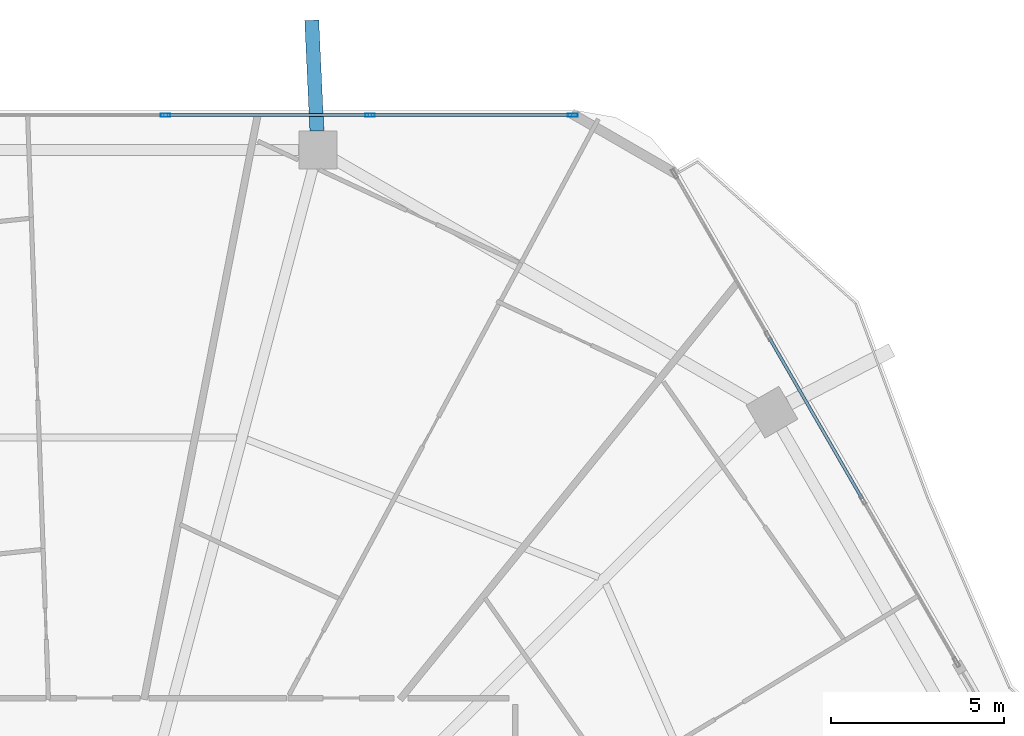
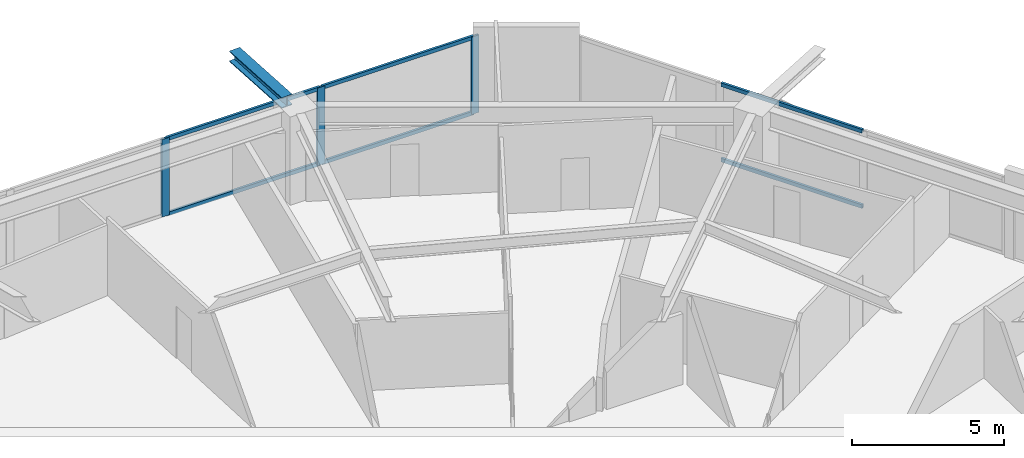
# One storey, part 20 of 32: 9 members, 1 beam, 2 elements without a shape of their own.
"""IFC4 building model written with IfcOpenShell, lengths in metres."""

from ifc_helpers import new_model, si_unit, direction, frame, origin, origin_2d, place, context, subcontext, project, spatial, hollow_rectangle, i_section, extrude, material, material_profile, profile_set, type_object, element, aggregate, save


model = new_model("IFC4")

# Units and contexts
model_context = context("Model", 3, precision=1e-05, world=origin(), true_north=direction((0.0, 1.0)))
body_context = subcontext(model_context, "Body", "Model", "MODEL_VIEW")
ifc_project = project(units=[si_unit("LENGTHUNIT", "METRE"), si_unit("AREAUNIT", "SQUARE_METRE"), si_unit("VOLUMEUNIT", "CUBIC_METRE"), si_unit("PLANEANGLEUNIT", "RADIAN"), si_unit("MASSUNIT", "GRAM", prefix="KILO")], contexts=[model_context])

# Site, building, storey
site_placement = place(None, origin())
site = spatial("IfcSite", under=ifc_project, at=site_placement, CompositionType="ELEMENT")
building_placement = place(site_placement, origin())
building = spatial("IfcBuilding", under=site, at=building_placement, Name="Zuhravey Tower", CompositionType="ELEMENT")
storey_placement = place(building_placement, frame((0.0, 0.0, 111.39990234375)))
storey = spatial("IfcBuildingStorey", under=building, at=storey_placement, Name="L27", CompositionType="ELEMENT", Elevation=111.39990234375)

# Curtain wall, members
ifc_material_1 = material(Name="Thermally broken anodised aluminium", Category="aluminium")
curtain_wall_type = type_object("IfcCurtainWallType", Name="Zone 1-2 Residential Curtain Wall CW3", PredefinedType="NOTDEFINED", material=ifc_material_1)
curtain_wall_1_placement = place(storey_placement, origin())
curtain_wall_1 = element("IfcCurtainWall", 1, at=curtain_wall_1_placement, inside=storey, type_object=curtain_wall_type, Name="L27 CW3 CW-L27-F2-1", PredefinedType="NOTDEFINED")
ifc_material_2 = material(Name="Anodised aluminium", Category="aluminium")
ifc_material_profile_1 = material_profile(ifc_material_2, hollow_rectangle(XDim=0.090087890625, YDim=0.284912109375, WallThickness=0.0048828125, at=origin_2d()), Name="ALU-RHS-90x285x5")
ifc_profile_set_1 = profile_set([ifc_material_profile_1], Name="Anodised aluminium")
member_type_1 = type_object("IfcMemberType", Name="Curtain-Wall Mullion 90x180", PredefinedType="MULLION", material=ifc_profile_set_1)
member_1_placement = place(storey_placement, frame((38.9599609375, 60.95849609375, 0.0), z_axis=(0.0, 0.0, 1.0), x_axis=(0.0, 1.0, 0.0)))
member_1 = element("IfcMember", 2, at=member_1_placement, type_object=member_type_1, Name="CW3 mullion 4", PredefinedType="MULLION", context=body_context, shape_type="SweptSolid", body=[
    extrude(hollow_rectangle(XDim=0.090087890625, YDim=0.284912109375, WallThickness=0.0048828125, at=origin_2d()), origin(), (0.0, 0.0, 1.0), 3.1220703125),
])
member_2_placement = place(storey_placement, frame((44.879638671875, 60.95849609375, 0.0), z_axis=(0.0, 0.0, 1.0), x_axis=(0.0, 1.0, 0.0)))
member_2 = element("IfcMember", 3, at=member_2_placement, type_object=member_type_1, Name="CW3 mullion 5", PredefinedType="MULLION", context=body_context, shape_type="SweptSolid", body=[
    extrude(hollow_rectangle(XDim=0.090087890625, YDim=0.284912109375, WallThickness=0.0048828125, at=origin_2d()), origin(), (0.0, 0.0, 1.0), 3.1220703125),
])
member_3_placement = place(storey_placement, frame((50.75439453125, 60.95849609375, 0.0), z_axis=(0.0, 0.0, 1.0), x_axis=(0.0, 1.0, 0.0)))
member_3 = element("IfcMember", 4, at=member_3_placement, type_object=member_type_1, Name="CW3 mullion 6", PredefinedType="MULLION", context=body_context, shape_type="SweptSolid", body=[
    extrude(hollow_rectangle(XDim=0.090087890625, YDim=0.284912109375, WallThickness=0.0048828125, at=origin_2d()), origin(), (0.0, 0.0, 1.0), 3.1220703125),
])
ifc_material_profile_2 = material_profile(ifc_material_2, hollow_rectangle(XDim=0.090087890625, YDim=0.14990234375, WallThickness=0.0048828125, at=origin_2d()), Name="ALU-RHS-90x150x5")
ifc_profile_set_2 = profile_set([ifc_material_profile_2], Name="Anodised aluminium")
member_type_2 = type_object("IfcMemberType", Name="Curtain-Wall Transom 90x150", PredefinedType="USERDEFINED", material=ifc_profile_set_2)
member_4_placement = place(storey_placement, frame((39.0048828125, 60.95849609375, 0.045166015625), z_axis=(1.0, 0.0, 0.0), x_axis=(0.0, 1.0, 0.0)))
member_4 = element("IfcMember", 5, at=member_4_placement, type_object=member_type_2, Name="CW3 transom 4.1", ObjectType="TRANSOM", PredefinedType="USERDEFINED", context=body_context, shape_type="SweptSolid", body=[
    extrude(hollow_rectangle(XDim=0.090087890625, YDim=0.14990234375, WallThickness=0.0048828125, at=origin_2d()), origin(), (0.0, 0.0, 1.0), 5.829833984375),
])
member_5_placement = place(storey_placement, frame((39.0048828125, 60.95849609375, 3.0771484375), z_axis=(1.0, 0.0, 0.0), x_axis=(0.0, 1.0, 0.0)))
member_5 = element("IfcMember", 6, at=member_5_placement, type_object=member_type_2, Name="CW3 transom 4.2", ObjectType="TRANSOM", PredefinedType="USERDEFINED", context=body_context, shape_type="SweptSolid", body=[
    extrude(hollow_rectangle(XDim=0.090087890625, YDim=0.14990234375, WallThickness=0.0048828125, at=origin_2d()), origin(), (0.0, 0.0, 1.0), 5.829833984375),
])
member_6_placement = place(storey_placement, frame((44.9248046875, 60.95849609375, 0.045166015625), z_axis=(1.0, 0.0, 0.0), x_axis=(0.0, 1.0, 0.0)))
member_6 = element("IfcMember", 7, at=member_6_placement, type_object=member_type_2, Name="CW3 transom 5.1", ObjectType="TRANSOM", PredefinedType="USERDEFINED", context=body_context, shape_type="SweptSolid", body=[
    extrude(hollow_rectangle(XDim=0.090087890625, YDim=0.14990234375, WallThickness=0.0048828125, at=origin_2d()), origin(), (0.0, 0.0, 1.0), 5.78466796875),
])
member_7_placement = place(storey_placement, frame((44.9248046875, 60.95849609375, 3.0771484375), z_axis=(1.0, 0.0, 0.0), x_axis=(0.0, 1.0, 0.0)))
member_7 = element("IfcMember", 8, at=member_7_placement, type_object=member_type_2, Name="CW3 transom 5.2", ObjectType="TRANSOM", PredefinedType="USERDEFINED", context=body_context, shape_type="SweptSolid", body=[
    extrude(hollow_rectangle(XDim=0.090087890625, YDim=0.14990234375, WallThickness=0.0048828125, at=origin_2d()), origin(), (0.0, 0.0, 1.0), 5.78466796875),
])
aggregate(curtain_wall_1, [member_1, member_2, member_3, member_4, member_5, member_6, member_7])

curtain_wall_2_placement = place(storey_placement, origin())
curtain_wall_2 = element("IfcCurtainWall", 9, at=curtain_wall_2_placement, inside=storey, type_object=curtain_wall_type, Name="L27 CW3 CW-L27-F1-1", PredefinedType="NOTDEFINED")
member_8_placement = place(storey_placement, frame((56.437744140625, 54.517578125, 0.045166015625), z_axis=(0.500002515888, -0.866023951231, 0.0), x_axis=(0.866023951231, 0.500002515888, 0.0)))
member_8 = element("IfcMember", 10, at=member_8_placement, type_object=member_type_2, Name="CW3 transom 2.1", ObjectType="TRANSOM", PredefinedType="USERDEFINED", context=body_context, shape_type="SweptSolid", body=[
    extrude(hollow_rectangle(XDim=0.090087890625, YDim=0.14990234375, WallThickness=0.0048828125, at=origin_2d()), origin(), (0.0, 0.0, 1.0), 5.3828125),
])
member_9_placement = place(storey_placement, frame((56.437744140625, 54.517578125, 3.0771484375), z_axis=(0.500002515888, -0.866023951231, 0.0), x_axis=(0.866023951231, 0.500002515888, 0.0)))
member_9 = element("IfcMember", 11, at=member_9_placement, type_object=member_type_2, Name="CW3 transom 2.2", ObjectType="TRANSOM", PredefinedType="USERDEFINED", context=body_context, shape_type="SweptSolid", body=[
    extrude(hollow_rectangle(XDim=0.090087890625, YDim=0.14990234375, WallThickness=0.0048828125, at=origin_2d()), origin(), (0.0, 0.0, 1.0), 5.3828125),
])
aggregate(curtain_wall_2, [member_8, member_9])

# Beam
ifc_material_3 = material(Name="Steel SM460", Category="steel")
ifc_material_profile_3 = material_profile(ifc_material_3, i_section(OverallWidth=0.406982421875, OverallDepth=0.427978515625, WebThickness=0.02001953125, FlangeThickness=0.034912109375, at=origin_2d()), Name="H-428x407x20x35")
ifc_profile_set_3 = profile_set([ifc_material_profile_3], Name="Steel SM460")
beam_type = type_object("IfcBeamType", Name="Exoskeleton Node Tie Beam H428x407", PredefinedType="BEAM", material=ifc_profile_set_3)
beam_placement = place(storey_placement, frame((43.34423828125, 60.50244140625, 3.336181640625), z_axis=(-0.046700060299, 0.998908956997, 0.0), x_axis=(-0.998908956997, -0.046700060299, 0.0)))
element("IfcBeam", 12, at=beam_placement, inside=storey, type_object=beam_type, Name="L27 Exoskeleton Node Tie NT1-03", PredefinedType="BEAM", context=body_context, shape_type="SweptSolid", body=[
    extrude(i_section(OverallWidth=0.406982421875, OverallDepth=0.427978515625, WebThickness=0.02001953125, FlangeThickness=0.034912109375, at=origin_2d()), origin(), (0.0, 0.0, 1.0), 3.20458984375),
])

save(model, "model.ifc")
